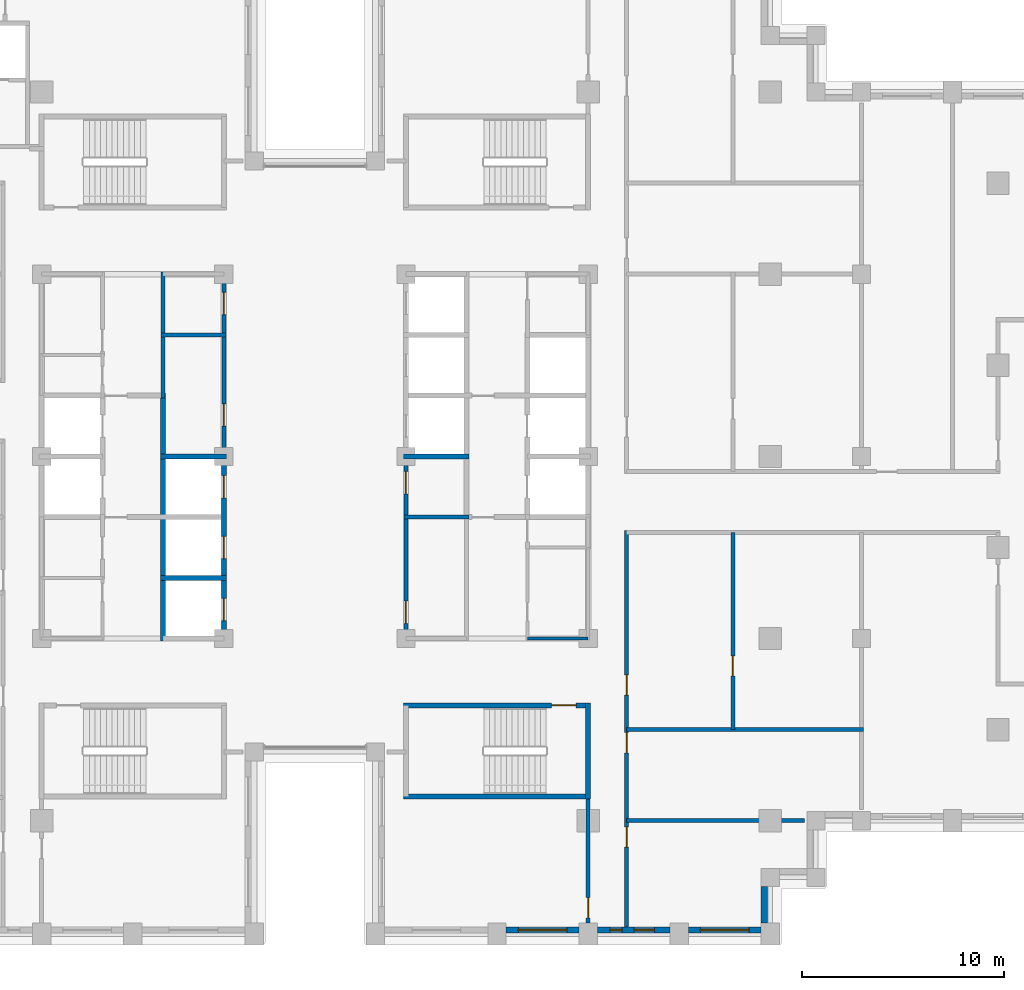
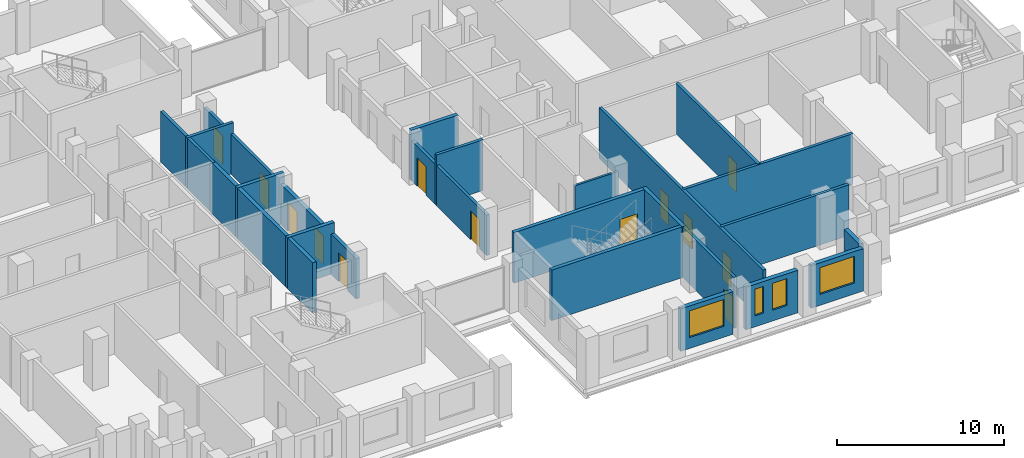
# One storey, part 8 of 15: 23 walls, 13 doors, 4 windows, 17 openings.
"""IFC4 building model written with IfcOpenShell, lengths in metres."""

from ifc_helpers import new_model, si_unit, direction, frame, frame_2d, origin, place, context, subcontext, project, spatial, rectangle, extrude, material, layer, layer_set, type_object, element, fill, save


model = new_model("IFC4")

# Units and contexts
model_context = context("Model", 3, precision=1e-05, world=origin(), true_north=direction((0.0, 1.0)))
body_context = subcontext(model_context, "Body", "Model", "MODEL_VIEW")
ifc_project = project(units=[si_unit("LENGTHUNIT", "METRE"), si_unit("AREAUNIT", "SQUARE_METRE"), si_unit("VOLUMEUNIT", "CUBIC_METRE"), si_unit("PLANEANGLEUNIT", "RADIAN"), si_unit("MASSUNIT", "GRAM", prefix="KILO")], contexts=[model_context])

# Site, building, storey
site_placement = place(None, origin())
site = spatial("IfcSite", under=ifc_project, at=site_placement, CompositionType="ELEMENT")
building_placement = place(site_placement, origin())
building = spatial("IfcBuilding", under=site, at=building_placement, Name="Corbelhall Arena Tower", CompositionType="ELEMENT")
storey_placement = place(building_placement, frame((0.0, 0.0, 130.0)))
storey = spatial("IfcBuildingStorey", under=building, at=storey_placement, Name="L24", CompositionType="ELEMENT", Elevation=130.0)

# Wall, opening, window
ifc_material_1 = material(Name="Precast concrete C40/50 with granite facing", Category="masonry")
ifc_layer_1 = layer(ifc_material_1, 0.300048828125)
ifc_layer_set_1 = layer_set([ifc_layer_1], Name="EV-IW1 Infill panel 300")
wall_type_1 = type_object("IfcWallType", Name="EV-IW1 Infill panel 300", PredefinedType="SOLIDWALL", material=ifc_layer_set_1)
wall_1_placement = place(storey_placement, frame((9.449951171875, -23.39990234375, 0.0), z_axis=(0.0, 0.0, 1.0), x_axis=(1.0, 0.0, 0.0)))
wall_1 = element("IfcWall", 1, at=wall_1_placement, inside=storey, type_object=wall_type_1, Name="Infill panel IW1", PredefinedType="SOLIDWALL", context=body_context, shape_type="SweptSolid", body=[
    extrude(rectangle(XDim=3.60009765625, YDim=0.300048828125, at=frame_2d((1.800048828125, 0.0))), origin(), (0.0, 0.0, 1.0), 3.10009765625),
])
opening_1_placement = place(wall_1_placement, frame((0.60009765625, 0.0, 0.800048828125)))
opening_1 = element("IfcOpeningElement", 2, at=opening_1_placement, cuts=wall_1, Name="Opening WN1", PredefinedType="OPENING", context=body_context, shape_type="SweptSolid", body=[
    extrude(rectangle(XDim=2.39990234375, YDim=1.949951171875, at=frame_2d((1.199951171875, 0.97509765625))), frame((0.0, 0.14990234375, 0.0), z_axis=(0.0, -1.0, 0.0), x_axis=(1.0, 0.0, 0.0)), (0.0, 0.0, 1.0), 0.300048828125),
])
ifc_material_2 = material(Name="Aluminium black anodised", Category="aluminium")
window_type_1 = type_object("IfcWindowType", Name="EV-WN1 Office window", PartitioningType="SINGLE_PANEL", PredefinedType="WINDOW", material=ifc_material_2)
window_1_placement = place(opening_1_placement, origin())
window_1 = element("IfcWindow", 3, at=window_1_placement, inside=storey, type_object=window_type_1, Name="Window WN1", OverallHeight=1.949951171875, OverallWidth=2.39990234375, PartitioningType="SINGLE_PANEL", PredefinedType="WINDOW", context=body_context, shape_type="SweptSolid", body=[
    extrude(rectangle(XDim=2.39990234375, YDim=1.949951171875, at=frame_2d((1.199951171875, 0.97509765625))), frame((0.0, 0.030029296875, 0.0), z_axis=(0.0, -1.0, 0.0), x_axis=(1.0, 0.0, 0.0)), (0.0, 0.0, 1.0), 0.06005859375),
])
fill(opening_1, window_1)

# Wall, openings, windows
wall_2_placement = place(storey_placement, frame((13.949951171875, -23.39990234375, 0.0), z_axis=(0.0, 0.0, 1.0), x_axis=(1.0, 0.0, 0.0)))
wall_2 = element("IfcWall", 4, at=wall_2_placement, inside=storey, type_object=wall_type_1, Name="Infill panel IW1", PredefinedType="SOLIDWALL", context=body_context, shape_type="SweptSolid", body=[
    extrude(rectangle(XDim=3.60009765625, YDim=0.300048828125, at=frame_2d((1.800048828125, 0.0))), origin(), (0.0, 0.0, 1.0), 3.10009765625),
])
opening_2_placement = place(wall_2_placement, frame((0.625, 0.0, 0.800048828125)))
opening_2 = element("IfcOpeningElement", 5, at=opening_2_placement, cuts=wall_2, Name="Opening WN5", PredefinedType="OPENING", context=body_context, shape_type="SweptSolid", body=[
    extrude(rectangle(XDim=0.60009765625, YDim=1.949951171875, at=frame_2d((0.300048828125, 0.97509765625))), frame((0.0, 0.14990234375, 0.0), z_axis=(0.0, -1.0, 0.0), x_axis=(1.0, 0.0, 0.0)), (0.0, 0.0, 1.0), 0.300048828125),
])
opening_3_placement = place(wall_2_placement, frame((1.824951171875, 0.0, 0.800048828125)))
opening_3 = element("IfcOpeningElement", 6, at=opening_3_placement, cuts=wall_2, Name="Opening WN6", PredefinedType="OPENING", context=body_context, shape_type="SweptSolid", body=[
    extrude(rectangle(XDim=1.0, YDim=1.949951171875, at=frame_2d((0.5, 0.97509765625))), frame((0.0, 0.14990234375, 0.0), z_axis=(0.0, -1.0, 0.0), x_axis=(1.0, 0.0, 0.0)), (0.0, 0.0, 1.0), 0.300048828125),
])
window_type_2 = type_object("IfcWindowType", Name="EV-WN5 Office window 600", PartitioningType="SINGLE_PANEL", PredefinedType="WINDOW", material=ifc_material_2)
window_2_placement = place(opening_2_placement, origin())
window_2 = element("IfcWindow", 7, at=window_2_placement, inside=storey, type_object=window_type_2, Name="Window WN5", OverallHeight=1.949951171875, OverallWidth=0.60009765625, PartitioningType="SINGLE_PANEL", PredefinedType="WINDOW", context=body_context, shape_type="SweptSolid", body=[
    extrude(rectangle(XDim=0.60009765625, YDim=1.949951171875, at=frame_2d((0.300048828125, 0.97509765625))), frame((0.0, 0.030029296875, 0.0), z_axis=(0.0, -1.0, 0.0), x_axis=(1.0, 0.0, 0.0)), (0.0, 0.0, 1.0), 0.06005859375),
])
fill(opening_2, window_2)
window_type_3 = type_object("IfcWindowType", Name="EV-WN6 Office window 1000", PartitioningType="SINGLE_PANEL", PredefinedType="WINDOW", material=ifc_material_2)
window_3_placement = place(opening_3_placement, origin())
window_3 = element("IfcWindow", 8, at=window_3_placement, inside=storey, type_object=window_type_3, Name="Window WN6", OverallHeight=1.949951171875, OverallWidth=1.0, PartitioningType="SINGLE_PANEL", PredefinedType="WINDOW", context=body_context, shape_type="SweptSolid", body=[
    extrude(rectangle(XDim=1.0, YDim=1.949951171875, at=frame_2d((0.5, 0.97509765625))), frame((0.0, 0.030029296875, 0.0), z_axis=(0.0, -1.0, 0.0), x_axis=(1.0, 0.0, 0.0)), (0.0, 0.0, 1.0), 0.06005859375),
])
fill(opening_3, window_3)

# Wall, opening, window
wall_3_placement = place(storey_placement, frame((18.449951171875, -23.39990234375, 0.0), z_axis=(0.0, 0.0, 1.0), x_axis=(1.0, 0.0, 0.0)))
wall_3 = element("IfcWall", 9, at=wall_3_placement, inside=storey, type_object=wall_type_1, Name="Infill panel IW1", PredefinedType="SOLIDWALL", context=body_context, shape_type="SweptSolid", body=[
    extrude(rectangle(XDim=3.60009765625, YDim=0.300048828125, at=frame_2d((1.800048828125, 0.0))), origin(), (0.0, 0.0, 1.0), 3.10009765625),
])
opening_4_placement = place(wall_3_placement, frame((0.60009765625, 0.0, 0.800048828125)))
opening_4 = element("IfcOpeningElement", 10, at=opening_4_placement, cuts=wall_3, Name="Opening WN1", PredefinedType="OPENING", context=body_context, shape_type="SweptSolid", body=[
    extrude(rectangle(XDim=2.39990234375, YDim=1.949951171875, at=frame_2d((1.199951171875, 0.97509765625))), frame((0.0, 0.14990234375, 0.0), z_axis=(0.0, -1.0, 0.0), x_axis=(1.0, 0.0, 0.0)), (0.0, 0.0, 1.0), 0.300048828125),
])
window_4_placement = place(opening_4_placement, origin())
window_4 = element("IfcWindow", 11, at=window_4_placement, inside=storey, type_object=window_type_1, Name="Window WN1", OverallHeight=1.949951171875, OverallWidth=2.39990234375, PartitioningType="SINGLE_PANEL", PredefinedType="WINDOW", context=body_context, shape_type="SweptSolid", body=[
    extrude(rectangle(XDim=2.39990234375, YDim=1.949951171875, at=frame_2d((1.199951171875, 0.97509765625))), frame((0.0, 0.030029296875, 0.0), z_axis=(0.0, -1.0, 0.0), x_axis=(1.0, 0.0, 0.0)), (0.0, 0.0, 1.0), 0.06005859375),
])
fill(opening_4, window_4)

# Wall
wall_4_placement = place(storey_placement, frame((22.199951171875, -23.050048828125, 0.0), z_axis=(0.0, 0.0, 1.0), x_axis=(0.0, 1.0, 0.0)))
element("IfcWall", 12, at=wall_4_placement, inside=storey, type_object=wall_type_1, Name="Infill panel IW1", PredefinedType="SOLIDWALL", context=body_context, shape_type="SweptSolid", body=[
    extrude(rectangle(XDim=1.800048828125, YDim=0.300048828125, at=frame_2d((0.89990234375, 0.0))), origin(), (0.0, 0.0, 1.0), 3.10009765625),
])

# Wall, opening, door
ifc_material_3 = material(Name="Gypsum board on steel stud, acoustic", Category="steel")
ifc_layer_2 = layer(ifc_material_3, 0.199951171875)
ifc_layer_set_2 = layer_set([ifc_layer_2], Name="IN-W-DM200")
wall_type_2 = type_object("IfcWallType", Name="IN-W-DM200", PredefinedType="PARTITIONING", material=ifc_layer_set_2)
wall_5_placement = place(storey_placement, frame((13.5, -23.050048828125, 0.0), z_axis=(0.0, 0.0, 1.0), x_axis=(0.0, 1.0, 0.0)))
wall_5 = element("IfcWall", 13, at=wall_5_placement, inside=storey, type_object=wall_type_2, Name="Partition 027", PredefinedType="PARTITIONING", context=body_context, shape_type="SweptSolid", body=[
    extrude(rectangle(XDim=6.375, YDim=0.199951171875, at=frame_2d((3.1875, 0.0))), origin(), (0.0, 0.0, 1.0), 3.699951171875),
])
opening_5_placement = place(wall_5_placement, frame((0.25, 0.0, 0.0)))
opening_5 = element("IfcOpeningElement", 14, at=opening_5_placement, cuts=wall_5, Name="Opening 06026", PredefinedType="OPENING", context=body_context, shape_type="SweptSolid", body=[
    extrude(rectangle(XDim=1.0, YDim=2.10009765625, at=frame_2d((0.5, 1.050048828125))), frame((0.0, 0.10009765625, 0.0), z_axis=(0.0, -1.0, 0.0), x_axis=(1.0, 0.0, 0.0)), (0.0, 0.0, 1.0), 0.199951171875),
])
ifc_material_4 = material(Name="Steel door set", Category="steel")
door_type_1 = type_object("IfcDoorType", Name="IN-D-SW100", OperationType="NOTDEFINED", PredefinedType="DOOR", material=ifc_material_4)
door_1_placement = place(opening_5_placement, origin())
door_1 = element("IfcDoor", 15, at=door_1_placement, inside=storey, type_object=door_type_1, Name="Door 026", OperationType="SINGLE_SWING_LEFT", OverallHeight=2.10009765625, OverallWidth=1.0, PredefinedType="DOOR", context=body_context, shape_type="SweptSolid", body=[
    extrude(rectangle(XDim=1.0, YDim=2.10009765625, at=frame_2d((0.5, 1.050048828125))), frame((0.0, 0.02490234375, 0.0), z_axis=(0.0, -1.0, 0.0), x_axis=(1.0, 0.0, 0.0)), (0.0, 0.0, 1.0), 0.050048828125),
])
fill(opening_5, door_1)

# Wall
wall_6_placement = place(storey_placement, frame((15.39990234375, -18.0, 0.0), z_axis=(0.0, 0.0, 1.0), x_axis=(1.0, 0.0, 0.0)))
element("IfcWall", 16, at=wall_6_placement, inside=storey, type_object=wall_type_2, Name="Partition 029", PredefinedType="PARTITIONING", context=body_context, shape_type="SweptSolid", body=[
    extrude(rectangle(XDim=8.800048828125, YDim=0.199951171875, at=frame_2d((4.39990234375, 0.0))), origin(), (0.0, 0.0, 1.0), 3.699951171875),
])

# Wall, openings, doors
wall_7_placement = place(storey_placement, frame((15.39990234375, -3.64990234375, 0.0), z_axis=(0.0, 0.0, 1.0), x_axis=(0.0, -1.0, 0.0)))
wall_7 = element("IfcWall", 17, at=wall_7_placement, inside=storey, type_object=wall_type_2, Name="Partition 030", PredefinedType="PARTITIONING", context=body_context, shape_type="SweptSolid", body=[
    extrude(rectangle(XDim=19.60009765625, YDim=0.199951171875, at=frame_2d((9.800048828125, 0.0))), origin(), (0.0, 0.0, 1.0), 3.699951171875),
])
opening_6_placement = place(wall_7_placement, frame((14.64990234375, 0.0, 0.0)))
opening_6 = element("IfcOpeningElement", 18, at=opening_6_placement, cuts=wall_7, Name="Opening 06039", PredefinedType="OPENING", context=body_context, shape_type="SweptSolid", body=[
    extrude(rectangle(XDim=1.0, YDim=2.10009765625, at=frame_2d((0.5, 1.050048828125))), frame((0.0, 0.10009765625, 0.0), z_axis=(0.0, -1.0, 0.0), x_axis=(1.0, 0.0, 0.0)), (0.0, 0.0, 1.0), 0.199951171875),
])
opening_7_placement = place(wall_7_placement, frame((10.0, 0.0, 0.0)))
opening_7 = element("IfcOpeningElement", 19, at=opening_7_placement, cuts=wall_7, Name="Opening 06040", PredefinedType="OPENING", context=body_context, shape_type="SweptSolid", body=[
    extrude(rectangle(XDim=1.0, YDim=2.10009765625, at=frame_2d((0.5, 1.050048828125))), frame((0.0, 0.10009765625, 0.0), z_axis=(0.0, -1.0, 0.0), x_axis=(1.0, 0.0, 0.0)), (0.0, 0.0, 1.0), 0.199951171875),
])
opening_8_placement = place(wall_7_placement, frame((7.14990234375, 0.0, 0.0)))
opening_8 = element("IfcOpeningElement", 20, at=opening_8_placement, cuts=wall_7, Name="Opening 06041", PredefinedType="OPENING", context=body_context, shape_type="SweptSolid", body=[
    extrude(rectangle(XDim=1.0, YDim=2.10009765625, at=frame_2d((0.5, 1.050048828125))), frame((0.0, 0.10009765625, 0.0), z_axis=(0.0, -1.0, 0.0), x_axis=(1.0, 0.0, 0.0)), (0.0, 0.0, 1.0), 0.199951171875),
])
door_2_placement = place(opening_6_placement, origin())
door_2 = element("IfcDoor", 21, at=door_2_placement, inside=storey, type_object=door_type_1, Name="Door 039", OperationType="SINGLE_SWING_RIGHT", OverallHeight=2.10009765625, OverallWidth=1.0, PredefinedType="DOOR", context=body_context, shape_type="SweptSolid", body=[
    extrude(rectangle(XDim=1.0, YDim=2.10009765625, at=frame_2d((0.5, 1.050048828125))), frame((0.0, 0.02490234375, 0.0), z_axis=(0.0, -1.0, 0.0), x_axis=(1.0, 0.0, 0.0)), (0.0, 0.0, 1.0), 0.050048828125),
])
fill(opening_6, door_2)
door_3_placement = place(opening_7_placement, origin())
door_3 = element("IfcDoor", 22, at=door_3_placement, inside=storey, type_object=door_type_1, Name="Door 040", OperationType="SINGLE_SWING_LEFT", OverallHeight=2.10009765625, OverallWidth=1.0, PredefinedType="DOOR", context=body_context, shape_type="SweptSolid", body=[
    extrude(rectangle(XDim=1.0, YDim=2.10009765625, at=frame_2d((0.5, 1.050048828125))), frame((0.0, 0.02490234375, 0.0), z_axis=(0.0, -1.0, 0.0), x_axis=(1.0, 0.0, 0.0)), (0.0, 0.0, 1.0), 0.050048828125),
])
fill(opening_7, door_3)
door_4_placement = place(opening_8_placement, origin())
door_4 = element("IfcDoor", 23, at=door_4_placement, inside=storey, type_object=door_type_1, Name="Door 041", OperationType="SINGLE_SWING_RIGHT", OverallHeight=2.10009765625, OverallWidth=1.0, PredefinedType="DOOR", context=body_context, shape_type="SweptSolid", body=[
    extrude(rectangle(XDim=1.0, YDim=2.10009765625, at=frame_2d((0.5, 1.050048828125))), frame((0.0, 0.02490234375, 0.0), z_axis=(0.0, -1.0, 0.0), x_axis=(1.0, 0.0, 0.0)), (0.0, 0.0, 1.0), 0.050048828125),
])
fill(opening_8, door_4)

# Wall
wall_8_placement = place(storey_placement, frame((15.39990234375, -13.5, 0.0), z_axis=(0.0, 0.0, 1.0), x_axis=(1.0, 0.0, 0.0)))
element("IfcWall", 24, at=wall_8_placement, inside=storey, type_object=wall_type_2, Name="Partition 031", PredefinedType="PARTITIONING", context=body_context, shape_type="SweptSolid", body=[
    extrude(rectangle(XDim=11.7001953125, YDim=0.199951171875, at=frame_2d((5.85009765625, 0.0))), origin(), (0.0, 0.0, 1.0), 3.699951171875),
])

# Wall, opening, door
wall_9_placement = place(storey_placement, frame((20.64990234375, -3.75, 0.0), z_axis=(0.0, 0.0, 1.0), x_axis=(0.0, -1.0, 0.0)))
wall_9 = element("IfcWall", 25, at=wall_9_placement, inside=storey, type_object=wall_type_2, Name="Partition 036", PredefinedType="PARTITIONING", context=body_context, shape_type="SweptSolid", body=[
    extrude(rectangle(XDim=9.75, YDim=0.199951171875, at=frame_2d((4.875, 0.0))), origin(), (0.0, 0.0, 1.0), 3.699951171875),
])
opening_9_placement = place(wall_9_placement, frame((6.10009765625, 0.0, 0.0)))
opening_9 = element("IfcOpeningElement", 26, at=opening_9_placement, cuts=wall_9, Name="Opening 06042", PredefinedType="OPENING", context=body_context, shape_type="SweptSolid", body=[
    extrude(rectangle(XDim=1.0, YDim=2.10009765625, at=frame_2d((0.5, 1.050048828125))), frame((0.0, 0.10009765625, 0.0), z_axis=(0.0, -1.0, 0.0), x_axis=(1.0, 0.0, 0.0)), (0.0, 0.0, 1.0), 0.199951171875),
])
door_5_placement = place(opening_9_placement, origin())
door_5 = element("IfcDoor", 27, at=door_5_placement, inside=storey, type_object=door_type_1, Name="Door 042", OperationType="SINGLE_SWING_LEFT", OverallHeight=2.10009765625, OverallWidth=1.0, PredefinedType="DOOR", context=body_context, shape_type="SweptSolid", body=[
    extrude(rectangle(XDim=1.0, YDim=2.10009765625, at=frame_2d((0.5, 1.050048828125))), frame((0.0, 0.02490234375, 0.0), z_axis=(0.0, -1.0, 0.0), x_axis=(1.0, 0.0, 0.0)), (0.0, 0.0, 1.0), 0.050048828125),
])
fill(opening_9, door_5)

# Walls
ifc_material_5 = material(Name="Concrete block wall", Category="concrete")
ifc_layer_3 = layer(ifc_material_5, 0.199951171875)
ifc_layer_set_3 = layer_set([ifc_layer_3], Name="IN-W-RS200")
wall_type_3 = type_object("IfcWallType", Name="IN-W-RS200", PredefinedType="SOLIDWALL", material=ifc_layer_set_3)
wall_10_placement = place(storey_placement, frame((-7.60009765625, 6.0, 0.0), z_axis=(0.0, 0.0, 1.0), x_axis=(1.0, 0.0, 0.0)))
element("IfcWall", 28, at=wall_10_placement, inside=storey, type_object=wall_type_3, Name="Partition 052", PredefinedType="SOLIDWALL", context=body_context, shape_type="SweptSolid", body=[
    extrude(rectangle(XDim=3.2001953125, YDim=0.199951171875, at=frame_2d((1.60009765625, 0.0))), origin(), (0.0, 0.0, 1.0), 3.699951171875),
])
wall_11_placement = place(storey_placement, frame((-7.5, 2.875, 0.0), z_axis=(0.0, 0.0, 1.0), x_axis=(0.0, 1.0, 0.0)))
element("IfcWall", 29, at=wall_11_placement, inside=storey, type_object=wall_type_3, Name="Partition 053", PredefinedType="SOLIDWALL", context=body_context, shape_type="SweptSolid", body=[
    extrude(rectangle(XDim=6.22509765625, YDim=0.199951171875, at=frame_2d((3.112548828125, 0.0))), origin(), (0.0, 0.0, 1.0), 3.699951171875),
])
wall_12_placement = place(storey_placement, frame((4.39990234375, -3.0, 0.0), z_axis=(0.0, 0.0, 1.0), x_axis=(1.0, 0.0, 0.0)))
element("IfcWall", 30, at=wall_12_placement, inside=storey, type_object=wall_type_3, Name="Partition 056", PredefinedType="SOLIDWALL", context=body_context, shape_type="SweptSolid", body=[
    extrude(rectangle(XDim=3.22509765625, YDim=0.199951171875, at=frame_2d((1.612548828125, 0.0))), origin(), (0.0, 0.0, 1.0), 3.699951171875),
])

# Wall, openings, doors
ifc_layer_4 = layer(ifc_material_5, 0.199951171875)
ifc_layer_set_4 = layer_set([ifc_layer_4], Name="IN-W-RS200 under beam 762 mm")
wall_type_4 = type_object("IfcWallType", Name="IN-W-RS200 under beam 762 mm", PredefinedType="SOLIDWALL", material=ifc_layer_set_4)
wall_13_placement = place(storey_placement, frame((-4.5, 9.10009765625, 0.0), z_axis=(0.0, 0.0, 1.0), x_axis=(0.0, -1.0, 0.0)))
wall_13 = element("IfcWall", 31, at=wall_13_placement, inside=storey, type_object=wall_type_4, Name="Partition 055", PredefinedType="SOLIDWALL", context=body_context, shape_type="SweptSolid", body=[
    extrude(rectangle(XDim=9.10009765625, YDim=0.199951171875, at=frame_2d((4.550048828125, 0.0))), origin(), (0.0, 0.0, 1.0), 2.93798828125),
])
opening_10_placement = place(wall_13_placement, frame((6.5, 0.0, 0.0)))
opening_10 = element("IfcOpeningElement", 32, at=opening_10_placement, cuts=wall_13, Name="Opening 06001", PredefinedType="OPENING", context=body_context, shape_type="SweptSolid", body=[
    extrude(rectangle(XDim=1.10009765625, YDim=2.10009765625, at=frame_2d((0.550048828125, 1.050048828125))), frame((0.0, 0.10009765625, 0.0), z_axis=(0.0, -1.0, 0.0), x_axis=(1.0, 0.0, 0.0)), (0.0, 0.0, 1.0), 0.199951171875),
])
opening_11_placement = place(wall_13_placement, frame((1.0, 0.0, 0.0)))
opening_11 = element("IfcOpeningElement", 33, at=opening_11_placement, cuts=wall_13, Name="Opening 06002", PredefinedType="OPENING", context=body_context, shape_type="SweptSolid", body=[
    extrude(rectangle(XDim=1.10009765625, YDim=2.10009765625, at=frame_2d((0.550048828125, 1.050048828125))), frame((0.0, 0.10009765625, 0.0), z_axis=(0.0, -1.0, 0.0), x_axis=(1.0, 0.0, 0.0)), (0.0, 0.0, 1.0), 0.199951171875),
])
door_type_2 = type_object("IfcDoorType", Name="IN-D-FD110", OperationType="NOTDEFINED", PredefinedType="DOOR", material=ifc_material_4)
door_6_placement = place(opening_10_placement, origin())
door_6 = element("IfcDoor", 34, at=door_6_placement, inside=storey, type_object=door_type_2, Name="Door 001", OperationType="SINGLE_SWING_RIGHT", OverallHeight=2.10009765625, OverallWidth=1.10009765625, PredefinedType="DOOR", context=body_context, shape_type="SweptSolid", body=[
    extrude(rectangle(XDim=1.10009765625, YDim=2.10009765625, at=frame_2d((0.550048828125, 1.050048828125))), frame((0.0, 0.02490234375, 0.0), z_axis=(0.0, -1.0, 0.0), x_axis=(1.0, 0.0, 0.0)), (0.0, 0.0, 1.0), 0.050048828125),
])
fill(opening_10, door_6)
door_7_placement = place(opening_11_placement, origin())
door_7 = element("IfcDoor", 35, at=door_7_placement, inside=storey, type_object=door_type_2, Name="Door 002", OperationType="SINGLE_SWING_LEFT", OverallHeight=2.10009765625, OverallWidth=1.10009765625, PredefinedType="DOOR", context=body_context, shape_type="SweptSolid", body=[
    extrude(rectangle(XDim=1.10009765625, YDim=2.10009765625, at=frame_2d((0.550048828125, 1.050048828125))), frame((0.0, 0.02490234375, 0.0), z_axis=(0.0, -1.0, 0.0), x_axis=(1.0, 0.0, 0.0)), (0.0, 0.0, 1.0), 0.050048828125),
])
fill(opening_11, door_7)

wall_14_placement = place(storey_placement, frame((4.5, -9.10009765625, 0.0), z_axis=(0.0, 0.0, 1.0), x_axis=(0.0, 1.0, 0.0)))
wall_14 = element("IfcWall", 36, at=wall_14_placement, inside=storey, type_object=wall_type_4, Name="Partition 057", PredefinedType="SOLIDWALL", context=body_context, shape_type="SweptSolid", body=[
    extrude(rectangle(XDim=9.10009765625, YDim=0.199951171875, at=frame_2d((4.550048828125, 0.0))), origin(), (0.0, 0.0, 1.0), 2.93798828125),
])
opening_12_placement = place(wall_14_placement, frame((0.85009765625, 0.0, 0.0)))
opening_12 = element("IfcOpeningElement", 37, at=opening_12_placement, cuts=wall_14, Name="Opening 06008", PredefinedType="OPENING", context=body_context, shape_type="SweptSolid", body=[
    extrude(rectangle(XDim=1.10009765625, YDim=2.10009765625, at=frame_2d((0.550048828125, 1.050048828125))), frame((0.0, 0.10009765625, 0.0), z_axis=(0.0, -1.0, 0.0), x_axis=(1.0, 0.0, 0.0)), (0.0, 0.0, 1.0), 0.199951171875),
])
opening_13_placement = place(wall_14_placement, frame((7.25, 0.0, 0.0)))
opening_13 = element("IfcOpeningElement", 38, at=opening_13_placement, cuts=wall_14, Name="Opening 06009", PredefinedType="OPENING", context=body_context, shape_type="SweptSolid", body=[
    extrude(rectangle(XDim=1.10009765625, YDim=2.10009765625, at=frame_2d((0.550048828125, 1.050048828125))), frame((0.0, 0.10009765625, 0.0), z_axis=(0.0, -1.0, 0.0), x_axis=(1.0, 0.0, 0.0)), (0.0, 0.0, 1.0), 0.199951171875),
])
door_8_placement = place(opening_12_placement, origin())
door_8 = element("IfcDoor", 39, at=door_8_placement, inside=storey, type_object=door_type_2, Name="Door 008", OperationType="SINGLE_SWING_LEFT", OverallHeight=2.10009765625, OverallWidth=1.10009765625, PredefinedType="DOOR", context=body_context, shape_type="SweptSolid", body=[
    extrude(rectangle(XDim=1.10009765625, YDim=2.10009765625, at=frame_2d((0.550048828125, 1.050048828125))), frame((0.0, 0.02490234375, 0.0), z_axis=(0.0, -1.0, 0.0), x_axis=(1.0, 0.0, 0.0)), (0.0, 0.0, 1.0), 0.050048828125),
])
fill(opening_12, door_8)
door_9_placement = place(opening_13_placement, origin())
door_9 = element("IfcDoor", 40, at=door_9_placement, inside=storey, type_object=door_type_2, Name="Door 009", OperationType="SINGLE_SWING_RIGHT", OverallHeight=2.10009765625, OverallWidth=1.10009765625, PredefinedType="DOOR", context=body_context, shape_type="SweptSolid", body=[
    extrude(rectangle(XDim=1.10009765625, YDim=2.10009765625, at=frame_2d((0.550048828125, 1.050048828125))), frame((0.0, 0.02490234375, 0.0), z_axis=(0.0, -1.0, 0.0), x_axis=(1.0, 0.0, 0.0)), (0.0, 0.0, 1.0), 0.050048828125),
])
fill(opening_13, door_9)

# Walls
ifc_material_6 = material(Name="Concrete C40/50", Category="concrete")
ifc_layer_5 = layer(ifc_material_6, 0.25)
ifc_layer_set_5 = layer_set([ifc_layer_5], Name="IN-W-SH250")
wall_type_5 = type_object("IfcWallType", Name="IN-W-SH250", PredefinedType="SOLIDWALL", material=ifc_layer_set_5)
for number, where, z_axis, x_axis, name in (
    (41, (-7.625, -6.0, 0.0), (0.0, 0.0, 1.0), (1.0, 0.0, 0.0), "Shaft wall 070"),
    (42, (-7.625, 0.0, 0.0), (0.0, 0.0, 1.0), (1.0, 0.0, 0.0), "Shaft wall 071"),
):
    element("IfcWall", number, at=place(storey_placement, frame(where, z_axis=z_axis, x_axis=x_axis)), inside=storey, type_object=wall_type_5, Name=name, PredefinedType="SOLIDWALL", context=body_context, shape_type="SweptSolid", body=[
        extrude(rectangle(XDim=3.25, YDim=0.25, at=frame_2d((1.625, 0.0))), origin(), (0.0, 0.0, 1.0), 3.699951171875),
    ])
wall_15_placement = place(storey_placement, frame((-7.5, -9.125, 0.0), z_axis=(0.0, 0.0, 1.0), x_axis=(0.0, 1.0, 0.0)))
element("IfcWall", 43, at=wall_15_placement, inside=storey, type_object=wall_type_5, Name="Shaft wall 072", PredefinedType="SOLIDWALL", context=body_context, shape_type="SweptSolid", body=[
    extrude(rectangle(XDim=12.25, YDim=0.25, at=frame_2d((6.125, 0.0))), origin(), (0.0, 0.0, 1.0), 3.699951171875),
])
wall_16_placement = place(storey_placement, frame((4.375, 0.0, 0.0), z_axis=(0.0, 0.0, 1.0), x_axis=(1.0, 0.0, 0.0)))
element("IfcWall", 44, at=wall_16_placement, inside=storey, type_object=wall_type_5, Name="Shaft wall 075", PredefinedType="SOLIDWALL", context=body_context, shape_type="SweptSolid", body=[
    extrude(rectangle(XDim=3.25, YDim=0.25, at=frame_2d((1.625, 0.0))), origin(), (0.0, 0.0, 1.0), 3.699951171875),
])

# Wall, openings, doors
ifc_layer_6 = layer(ifc_material_6, 0.25)
ifc_layer_set_6 = layer_set([ifc_layer_6], Name="IN-W-SH250 under beam 762 mm")
wall_type_6 = type_object("IfcWallType", Name="IN-W-SH250 under beam 762 mm", PredefinedType="SOLIDWALL", material=ifc_layer_set_6)
wall_17_placement = place(storey_placement, frame((-4.5, 0.0, 0.0), z_axis=(0.0, 0.0, 1.0), x_axis=(0.0, -1.0, 0.0)))
wall_17 = element("IfcWall", 45, at=wall_17_placement, inside=storey, type_object=wall_type_6, Name="Shaft wall 074", PredefinedType="SOLIDWALL", context=body_context, shape_type="SweptSolid", body=[
    extrude(rectangle(XDim=9.125, YDim=0.25, at=frame_2d((4.5625, 0.0))), origin(), (0.0, 0.0, 1.0), 2.93798828125),
])
opening_14_placement = place(wall_17_placement, frame((7.012451171875, 0.0, 0.0)))
opening_14 = element("IfcOpeningElement", 46, at=opening_14_placement, cuts=wall_17, Name="Opening LD", PredefinedType="OPENING", context=body_context, shape_type="SweptSolid", body=[
    extrude(rectangle(XDim=1.10009765625, YDim=2.10009765625, at=frame_2d((0.550048828125, 1.050048828125))), frame((0.0, 0.125, 0.0), z_axis=(0.0, -1.0, 0.0), x_axis=(1.0, 0.0, 0.0)), (0.0, 0.0, 1.0), 0.25),
])
opening_15_placement = place(wall_17_placement, frame((3.949951171875, 0.0, 0.0)))
opening_15 = element("IfcOpeningElement", 47, at=opening_15_placement, cuts=wall_17, Name="Opening LD", PredefinedType="OPENING", context=body_context, shape_type="SweptSolid", body=[
    extrude(rectangle(XDim=1.10009765625, YDim=2.10009765625, at=frame_2d((0.550048828125, 1.050048828125))), frame((0.0, 0.125, 0.0), z_axis=(0.0, -1.0, 0.0), x_axis=(1.0, 0.0, 0.0)), (0.0, 0.0, 1.0), 0.25),
])
opening_16_placement = place(wall_17_placement, frame((0.949951171875, 0.0, 0.0)))
opening_16 = element("IfcOpeningElement", 48, at=opening_16_placement, cuts=wall_17, Name="Opening LD", PredefinedType="OPENING", context=body_context, shape_type="SweptSolid", body=[
    extrude(rectangle(XDim=1.10009765625, YDim=2.10009765625, at=frame_2d((0.550048828125, 1.050048828125))), frame((0.0, 0.125, 0.0), z_axis=(0.0, -1.0, 0.0), x_axis=(1.0, 0.0, 0.0)), (0.0, 0.0, 1.0), 0.25),
])
door_type_3 = type_object("IfcDoorType", Name="IN-D-LD110", OperationType="NOTDEFINED", PredefinedType="DOOR", material=ifc_material_4)
door_10_placement = place(opening_14_placement, origin())
door_10 = element("IfcDoor", 49, at=door_10_placement, inside=storey, type_object=door_type_3, Name="Landing door W1", OperationType="SLIDING_TO_LEFT", OverallHeight=2.10009765625, OverallWidth=1.10009765625, PredefinedType="DOOR", context=body_context, shape_type="SweptSolid", body=[
    extrude(rectangle(XDim=1.10009765625, YDim=2.10009765625, at=frame_2d((0.550048828125, 1.050048828125))), frame((0.0, 0.02490234375, 0.0), z_axis=(0.0, -1.0, 0.0), x_axis=(1.0, 0.0, 0.0)), (0.0, 0.0, 1.0), 0.050048828125),
])
fill(opening_14, door_10)
door_11_placement = place(opening_15_placement, origin())
door_11 = element("IfcDoor", 50, at=door_11_placement, inside=storey, type_object=door_type_3, Name="Landing door W2", OperationType="SLIDING_TO_LEFT", OverallHeight=2.10009765625, OverallWidth=1.10009765625, PredefinedType="DOOR", context=body_context, shape_type="SweptSolid", body=[
    extrude(rectangle(XDim=1.10009765625, YDim=2.10009765625, at=frame_2d((0.550048828125, 1.050048828125))), frame((0.0, 0.02490234375, 0.0), z_axis=(0.0, -1.0, 0.0), x_axis=(1.0, 0.0, 0.0)), (0.0, 0.0, 1.0), 0.050048828125),
])
fill(opening_15, door_11)
door_12_placement = place(opening_16_placement, origin())
door_12 = element("IfcDoor", 51, at=door_12_placement, inside=storey, type_object=door_type_3, Name="Landing door W3", OperationType="SLIDING_TO_LEFT", OverallHeight=2.10009765625, OverallWidth=1.10009765625, PredefinedType="DOOR", context=body_context, shape_type="SweptSolid", body=[
    extrude(rectangle(XDim=1.10009765625, YDim=2.10009765625, at=frame_2d((0.550048828125, 1.050048828125))), frame((0.0, 0.02490234375, 0.0), z_axis=(0.0, -1.0, 0.0), x_axis=(1.0, 0.0, 0.0)), (0.0, 0.0, 1.0), 0.050048828125),
])
fill(opening_16, door_12)

# Walls
ifc_layer_7 = layer(ifc_material_6, 0.25)
ifc_layer_set_7 = layer_set([ifc_layer_7], Name="IN-W-ST250")
wall_type_7 = type_object("IfcWallType", Name="IN-W-ST250", PredefinedType="SOLIDWALL", material=ifc_layer_set_7)
wall_18_placement = place(storey_placement, frame((13.5, -16.925048828125, 0.0), z_axis=(0.0, 0.0, 1.0), x_axis=(0.0, 1.0, 0.0)))
element("IfcWall", 52, at=wall_18_placement, inside=storey, type_object=wall_type_7, Name="Shaft wall 104", PredefinedType="SOLIDWALL", context=body_context, shape_type="SweptSolid", body=[
    extrude(rectangle(XDim=4.75, YDim=0.25, at=frame_2d((2.375, 0.0))), origin(), (0.0, 0.0, 1.0), 3.699951171875),
])
wall_19_placement = place(storey_placement, frame((13.5, -16.800048828125, 0.0), z_axis=(0.0, 0.0, 1.0), x_axis=(-1.0, 0.0, 0.0)))
element("IfcWall", 53, at=wall_19_placement, inside=storey, type_object=wall_type_7, Name="Shaft wall 105", PredefinedType="SOLIDWALL", context=body_context, shape_type="SweptSolid", body=[
    extrude(rectangle(XDim=9.125, YDim=0.25, at=frame_2d((4.5625, 0.0))), origin(), (0.0, 0.0, 1.0), 3.699951171875),
])

# Wall, opening, door
wall_20_placement = place(storey_placement, frame((13.5, -12.300048828125, 0.0), z_axis=(0.0, 0.0, 1.0), x_axis=(-1.0, 0.0, 0.0)))
wall_20 = element("IfcWall", 54, at=wall_20_placement, inside=storey, type_object=wall_type_7, Name="Shaft wall 106", PredefinedType="SOLIDWALL", context=body_context, shape_type="SweptSolid", body=[
    extrude(rectangle(XDim=9.125, YDim=0.25, at=frame_2d((4.5625, 0.0))), origin(), (0.0, 0.0, 1.0), 3.699951171875),
])
opening_17_placement = place(wall_20_placement, frame((0.60009765625, 0.0, 0.0)))
opening_17 = element("IfcOpeningElement", 55, at=opening_17_placement, cuts=wall_20, Name="Opening 06018", PredefinedType="OPENING", context=body_context, shape_type="SweptSolid", body=[
    extrude(rectangle(XDim=1.199951171875, YDim=2.10009765625, at=frame_2d((0.60009765625, 1.050048828125))), frame((0.0, 0.125, 0.0), z_axis=(0.0, -1.0, 0.0), x_axis=(1.0, 0.0, 0.0)), (0.0, 0.0, 1.0), 0.25),
])
door_type_4 = type_object("IfcDoorType", Name="IN-D-ST120", OperationType="NOTDEFINED", PredefinedType="DOOR", material=ifc_material_4)
door_13_placement = place(opening_17_placement, origin())
door_13 = element("IfcDoor", 56, at=door_13_placement, inside=storey, type_object=door_type_4, Name="Door 018", OperationType="SINGLE_SWING_LEFT", OverallHeight=2.10009765625, OverallWidth=1.199951171875, PredefinedType="DOOR", context=body_context, shape_type="SweptSolid", body=[
    extrude(rectangle(XDim=1.199951171875, YDim=2.10009765625, at=frame_2d((0.60009765625, 1.050048828125))), frame((0.0, 0.02490234375, 0.0), z_axis=(0.0, -1.0, 0.0), x_axis=(1.0, 0.0, 0.0)), (0.0, 0.0, 1.0), 0.050048828125),
])
fill(opening_17, door_13)

# Wall
ifc_material_7 = material(Name="Gypsum board on steel stud, moisture resistant", Category="steel")
ifc_layer_8 = layer(ifc_material_7, 0.14990234375)
ifc_layer_set_8 = layer_set([ifc_layer_8], Name="IN-W-WC150 under beam 762 mm")
wall_type_8 = type_object("IfcWallType", Name="IN-W-WC150 under beam 762 mm", PredefinedType="PARTITIONING", material=ifc_layer_set_8)
wall_21_placement = place(storey_placement, frame((13.5, -9.0, 0.0), z_axis=(0.0, 0.0, 1.0), x_axis=(-1.0, 0.0, 0.0)))
element("IfcWall", 57, at=wall_21_placement, inside=storey, type_object=wall_type_8, Name="Partition 123", PredefinedType="PARTITIONING", context=body_context, shape_type="SweptSolid", body=[
    extrude(rectangle(XDim=3.0, YDim=0.14990234375, at=frame_2d((1.5, 0.0))), origin(), (0.0, 0.0, 1.0), 2.93798828125),
])

save(model, "model.ifc")
